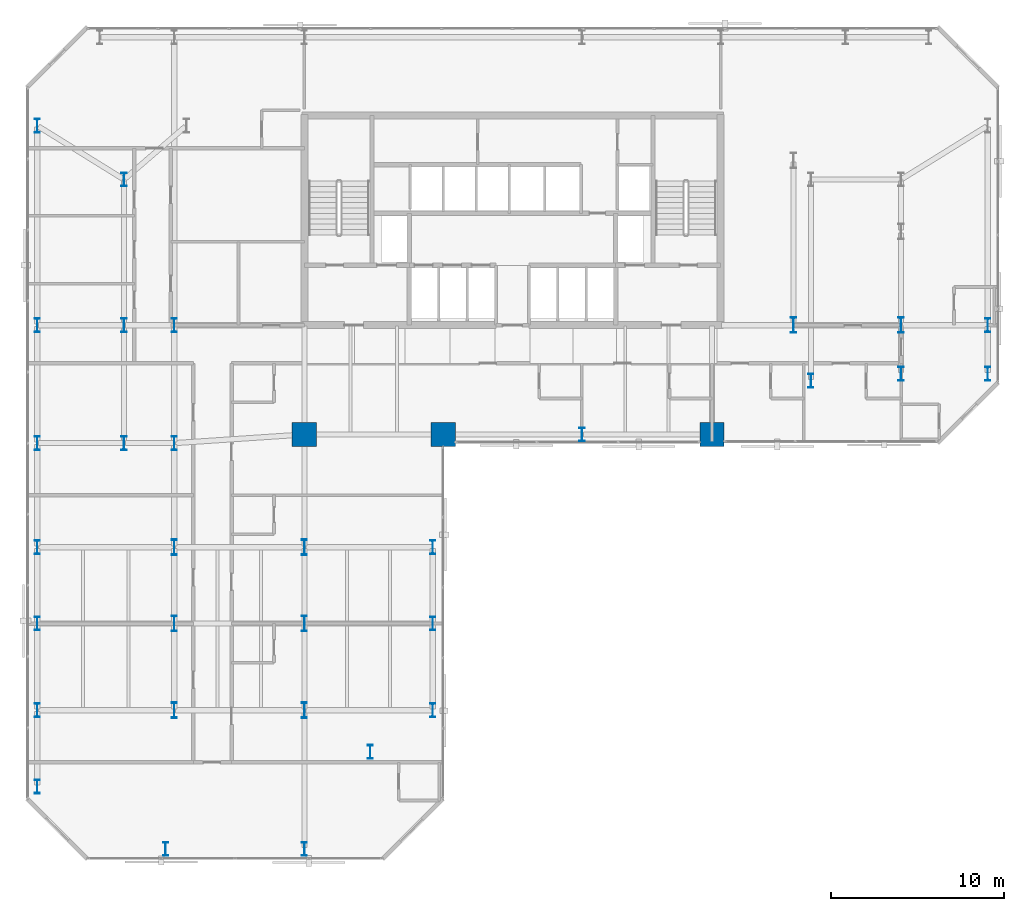
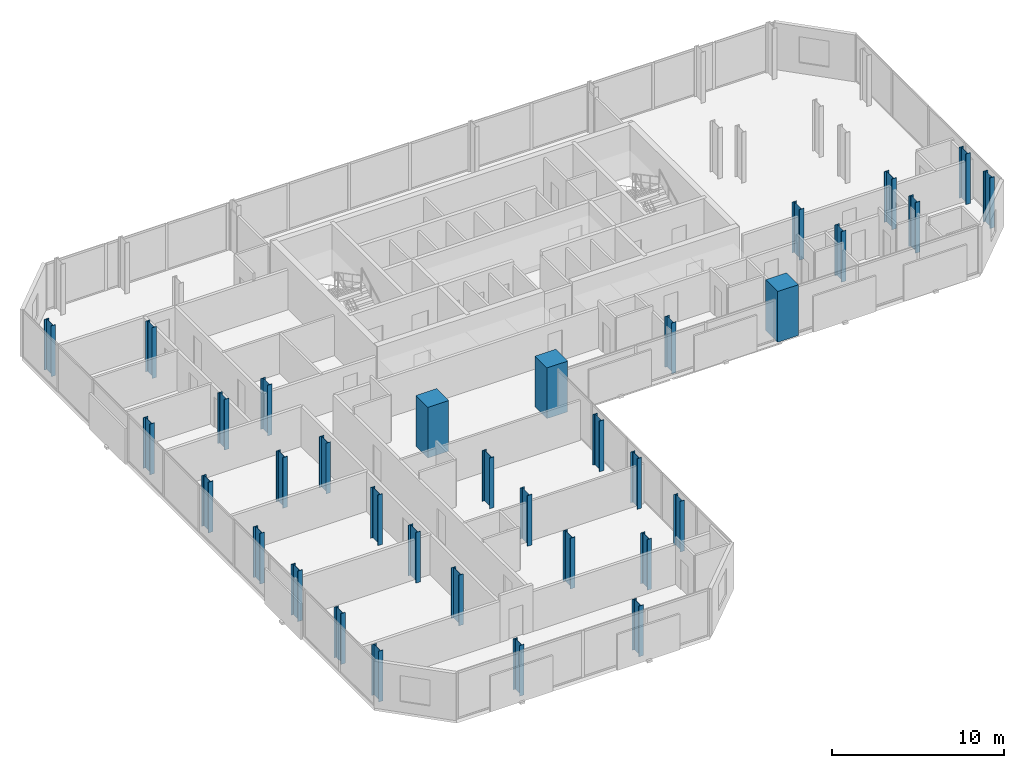
# One storey, part 1 of 32: 34 columns.
"""IFC4 building model written with IfcOpenShell, lengths in metres."""

from ifc_helpers import new_model, si_unit, direction, frame, origin, origin_2d, place, context, subcontext, project, spatial, rectangle, i_section, extrude, material, material_profile, profile_set, type_object, element, save


model = new_model("IFC4")

# Units and contexts
model_context = context("Model", 3, precision=1e-05, world=origin(), true_north=direction((0.0, 1.0)))
body_context = subcontext(model_context, "Body", "Model", "MODEL_VIEW")
ifc_project = project(units=[si_unit("LENGTHUNIT", "METRE"), si_unit("AREAUNIT", "SQUARE_METRE"), si_unit("VOLUMEUNIT", "CUBIC_METRE"), si_unit("PLANEANGLEUNIT", "RADIAN"), si_unit("MASSUNIT", "GRAM", prefix="KILO")], contexts=[model_context])

# Site, building, storey
site_placement = place(None, origin())
site = spatial("IfcSite", under=ifc_project, at=site_placement, CompositionType="ELEMENT")
building_placement = place(site_placement, origin())
building = spatial("IfcBuilding", under=site, at=building_placement, Name="Catumbela Crestline Tower", CompositionType="ELEMENT")
storey_placement = place(building_placement, frame((0.0, 0.0, 65.4)))
storey = spatial("IfcBuildingStorey", under=building, at=storey_placement, Name="L16", CompositionType="ELEMENT", Elevation=65.4)

# Columns
ifc_material_1 = material(Name="Concrete C60/75", Category="concrete")
ifc_material_profile_1 = material_profile(ifc_material_1, rectangle(XDim=1.4, YDim=1.4, at=origin_2d()), Name="RC 1400x1400")
ifc_profile_set_1 = profile_set([ifc_material_profile_1], Name="Concrete C60/75")
column_type_1 = type_object("IfcColumnType", Name="C-RC1400-C60", PredefinedType="COLUMN", material=ifc_profile_set_1)
for number, where, z_axis, x_axis, name in (
    (1, (16.0, 24.5, 0.0), (0.0, 0.0, 1.0), (1.0, 0.0, 0.0), "L16 Column C-16-24 (RC 1400x1400)"),
    (2, (24.0, 24.5, 0.0), (0.0, 0.0, 1.0), (1.0, 0.0, 0.0), "L16 Column C-24-24 (RC 1400x1400)"),
    (3, (39.5, 24.5, 0.0), (0.0, 0.0, 1.0), (1.0, 0.0, 0.0), "L16 Column C-40-24 (RC 1400x1400)"),
):
    element("IfcColumn", number, at=place(storey_placement, frame(where, z_axis=z_axis, x_axis=x_axis)), inside=storey, type_object=column_type_1, Name=name, PredefinedType="COLUMN", context=body_context, shape_type="SweptSolid", body=[
        extrude(rectangle(XDim=1.4, YDim=1.4, at=origin_2d()), origin(), (0.0, 0.0, 1.0), 3.6),
    ])
ifc_material_2 = material(Name="Structural steel S460M", Category="steel")
ifc_material_profile_2 = material_profile(ifc_material_2, i_section(OverallWidth=0.3, OverallDepth=0.8, WebThickness=0.0175, FlangeThickness=0.033, FilletRadius=0.03, at=origin_2d()), Name="HEB 800")
ifc_profile_set_2 = profile_set([ifc_material_profile_2], Name="Structural steel S460M")
column_type_2 = type_object("IfcColumnType", Name="C-ST-HEB800", PredefinedType="COLUMN", material=ifc_profile_set_2)
for number, where, z_axis, x_axis, name in (
    (4, (8.5, 24.0, 0.0), (0.0, 0.0, 1.0), (1.0, 0.0, 0.0), "L16 Column C-08-24 (HEB 800)"),
    (5, (32.0, 24.5, 0.0), (0.0, 0.0, 1.0), (1.0, 0.0, 0.0), "L16 Column C-32-24 (HEB 800)"),
    (6, (5.6, 24.0, 0.0), (0.0, 0.0, 1.0), (1.0, 0.0, 0.0), "L16 Column C-05-24 (HEB 800)"),
    (7, (5.6, 30.8, 0.0), (0.0, 0.0, 1.0), (1.0, 0.0, 0.0), "L16 Column C-05-31 (HEB 800)"),
    (8, (5.6, 39.2, 0.0), (0.0, 0.0, 1.0), (1.0, 0.0, 0.0), "L16 Column C-05-43 (HEB 800)"),
    (9, (8.5, 30.8, 0.0), (0.0, 0.0, 1.0), (1.0, 0.0, 0.0), "L16 Column C-08-31 (HEB 800)"),
    (10, (45.2, 27.6, 0.0), (0.0, 0.0, 1.0), (1.0, 0.0, 0.0), "L16 Column C-46-24 (HEB 800)"),
    (11, (0.6, 24.0, 0.0), (0.0, 0.0, 1.0), (1.0, 0.0, 0.0), "L16 Column C-00-24 (HEB 800)"),
    (12, (0.6, 30.8, 0.0), (0.0, 0.0, 1.0), (1.0, 0.0, 0.0), "L16 Column C-00-31 (HEB 800)"),
    (13, (0.6, 42.3, 0.0), (0.0, 0.0, 1.0), (1.0, 0.0, 0.0), "L16 Column C-00-43 (HEB 800)"),
    (14, (50.4, 28.0, 0.0), (0.0, 0.0, 1.0), (1.0, 0.0, 0.0), "L16 Column C-51-24 (HEB 800)"),
    (15, (55.4, 28.0, 0.0), (0.0, 0.0, 1.0), (1.0, 0.0, 0.0), "L16 Column C-56-24 (HEB 800)"),
    (16, (55.4, 30.8, 0.0), (0.0, 0.0, 1.0), (1.0, 0.0, 0.0), "L16 Column C-56-31 (HEB 800)"),
    (17, (0.6, 8.6, 0.0), (0.0, 0.0, 1.0), (1.0, 0.0, 0.0), "L16 Column C-00-05 (HEB 800)"),
    (18, (0.6, 13.6, 0.0), (0.0, 0.0, 1.0), (1.0, 0.0, 0.0), "L16 Column C-00-10 (HEB 800)"),
    (19, (0.6, 18.0, 0.0), (0.0, 0.0, 1.0), (1.0, 0.0, 0.0), "L16 Column C-00-16 (HEB 800)"),
    (20, (0.6, 4.2, 0.0), (0.0, 0.0, 1.0), (1.0, 0.0, 0.0), "L16 Column C-00-03 (HEB 800)"),
    (21, (8.0, 0.6, 0.0), (0.0, 0.0, 1.0), (1.0, 0.0, 0.0), "L16 Column C-08-00 (HEB 800)"),
    (22, (16.0, 0.6, 0.0), (0.0, 0.0, 1.0), (1.0, 0.0, 0.0), "L16 Column C-16-00 (HEB 800)"),
    (23, (19.8, 6.2, 0.0), (0.0, 0.0, 1.0), (1.0, 0.0, 0.0), "L16 Column C-24-05 (HEB 800)"),
    (24, (23.4, 8.6, 0.0), (0.0, 0.0, 1.0), (1.0, 0.0, 0.0), "L16 Column C-23-08 (HEB 800)"),
    (25, (23.4, 13.6, 0.0), (0.0, 0.0, 1.0), (1.0, 0.0, 0.0), "L16 Column C-24-10 (HEB 800)"),
    (26, (23.4, 18.0, 0.0), (0.0, 0.0, 1.0), (1.0, 0.0, 0.0), "L16 Column C-24-16 (HEB 800)"),
):
    element("IfcColumn", number, at=place(storey_placement, frame(where, z_axis=z_axis, x_axis=x_axis)), inside=storey, type_object=column_type_2, Name=name, PredefinedType="COLUMN", context=body_context, shape_type="SweptSolid", body=[
        extrude(i_section(OverallWidth=0.3, OverallDepth=0.8, WebThickness=0.0175, FlangeThickness=0.033, FilletRadius=0.03, at=origin_2d()), origin(), (0.0, 0.0, 1.0), 3.6),
    ])
ifc_material_profile_3 = material_profile(ifc_material_2, i_section(OverallWidth=0.3, OverallDepth=0.9, WebThickness=0.0185, FlangeThickness=0.035, FilletRadius=0.03, at=origin_2d()), Name="HEB 900")
ifc_profile_set_3 = profile_set([ifc_material_profile_3], Name="Structural steel S460M")
column_type_3 = type_object("IfcColumnType", Name="C-ST-HEB900", PredefinedType="COLUMN", material=ifc_profile_set_3)
for number, where, z_axis, x_axis, name in (
    (27, (8.5, 8.6, 0.0), (0.0, 0.0, 1.0), (1.0, 0.0, 0.0), "L16 Column CT-05-05 (HEB 900)"),
    (28, (16.0, 8.6, 0.0), (0.0, 0.0, 1.0), (1.0, 0.0, 0.0), "L16 Column CT-14-05 (HEB 900)"),
    (29, (8.5, 13.6, 0.0), (0.0, 0.0, 1.0), (1.0, 0.0, 0.0), "L16 Column CT-05-10 (HEB 900)"),
    (30, (16.0, 13.6, 0.0), (0.0, 0.0, 1.0), (1.0, 0.0, 0.0), "L16 Column CT-14-10 (HEB 900)"),
    (31, (8.5, 18.0, 0.0), (0.0, 0.0, 1.0), (1.0, 0.0, 0.0), "L16 Column CT-05-16 (HEB 900)"),
    (32, (16.0, 18.0, 0.0), (0.0, 0.0, 1.0), (1.0, 0.0, 0.0), "L16 Column CT-14-16 (HEB 900)"),
    (33, (44.2, 30.8, 0.0), (0.0, 0.0, 1.0), (1.0, 0.0, 0.0), "L16 Column CT-46-31 (HEB 900)"),
    (34, (50.4, 30.8, 0.0), (0.0, 0.0, 1.0), (1.0, 0.0, 0.0), "L16 Column CT-51-31 (HEB 900)"),
):
    element("IfcColumn", number, at=place(storey_placement, frame(where, z_axis=z_axis, x_axis=x_axis)), inside=storey, type_object=column_type_3, Name=name, PredefinedType="COLUMN", context=body_context, shape_type="SweptSolid", body=[
        extrude(i_section(OverallWidth=0.3, OverallDepth=0.9, WebThickness=0.0185, FlangeThickness=0.035, FilletRadius=0.03, at=origin_2d()), origin(), (0.0, 0.0, 1.0), 3.6),
    ])

save(model, "model.ifc")
